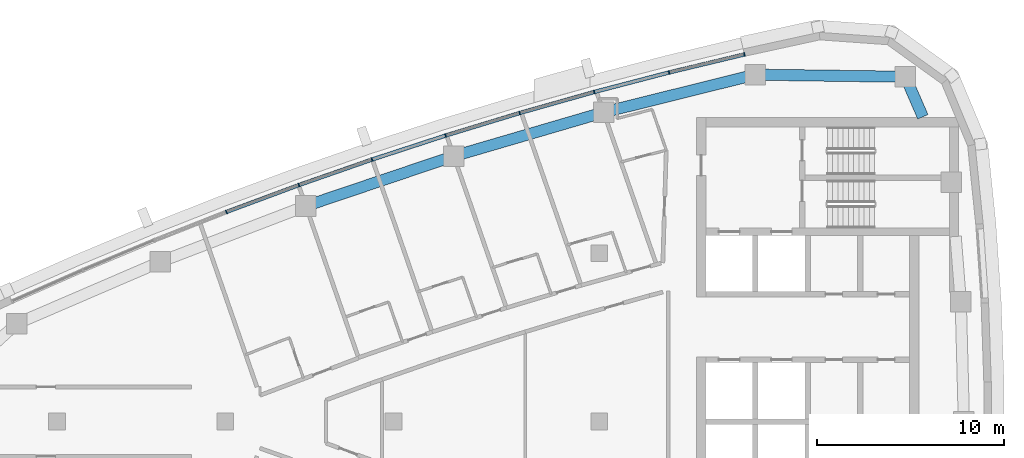
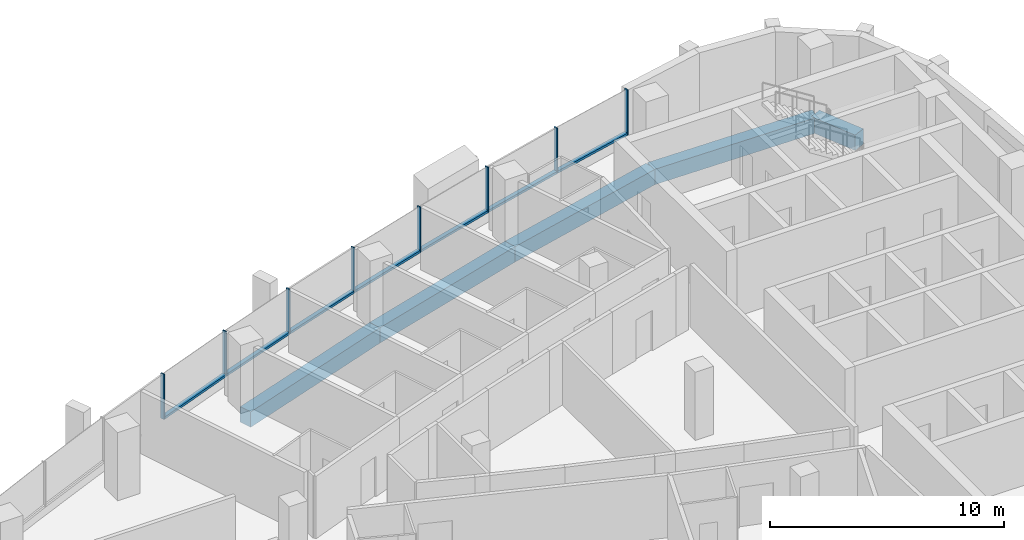
# One storey, part 5 of 14: 15 members, 5 beams, 4 elements without a shape of their own.
"""IFC4 building model written with IfcOpenShell, lengths in metres."""

from ifc_helpers import new_model, si_unit, direction, frame, origin, origin_2d, place, context, subcontext, project, spatial, rectangle, extrude, material, layer, layer_set, material_profile, profile_set, type_object, element, aggregate, save


model = new_model("IFC4")

# Units and contexts
model_context = context("Model", 3, precision=1e-05, world=origin(), true_north=direction((0.0, 1.0)))
body_context = subcontext(model_context, "Body", "Model", "MODEL_VIEW")
ifc_project = project(units=[si_unit("LENGTHUNIT", "METRE"), si_unit("AREAUNIT", "SQUARE_METRE"), si_unit("VOLUMEUNIT", "CUBIC_METRE"), si_unit("PLANEANGLEUNIT", "RADIAN"), si_unit("MASSUNIT", "GRAM", prefix="KILO")], contexts=[model_context])

# Site, building, storey
site_placement = place(None, origin())
site = spatial("IfcSite", under=ifc_project, at=site_placement, CompositionType="ELEMENT")
building_placement = place(site_placement, origin())
building = spatial("IfcBuilding", under=site, at=building_placement, Name="Ostrand Prow Hotel Tower", CompositionType="ELEMENT")
storey_placement = place(building_placement, frame((0.0, 0.0, 285.64990234375)))
storey = spatial("IfcBuildingStorey", under=building, at=storey_placement, Name="L72", CompositionType="ELEMENT", Elevation=285.64990234375)

# Beams
ifc_material_1 = material(Name="Concrete C50/60", Category="concrete")
ifc_material_profile_1 = material_profile(ifc_material_1, rectangle(XDim=0.60009765625, YDim=0.800048828125, at=origin_2d()), Name="RC 600x800")
ifc_profile_set_1 = profile_set([ifc_material_profile_1], Name="Concrete C50/60")
beam_type = type_object("IfcBeamType", Name="Edge beam 600x800 C50/60", PredefinedType="SPANDREL", material=ifc_profile_set_1)
beam_1_placement = place(storey_placement, frame((62.304931640625, 16.300048828125, -0.699951171875), z_axis=(-0.398863844187, 0.91701016014, 0.0), x_axis=(-0.91701016014, -0.398863844187, 0.0)))
element("IfcBeam", 1, at=beam_1_placement, inside=storey, type_object=beam_type, Name="Edge beam B5-NE", PredefinedType="SPANDREL", context=body_context, shape_type="SweptSolid", body=[
    extrude(rectangle(XDim=0.60009765625, YDim=0.800048828125, at=origin_2d()), origin(), (0.0, 0.0, 1.0), 2.333251953125),
])
beam_2_placement = place(storey_placement, frame((61.374267578125, 18.439697265625, -0.699951171875), z_axis=(-0.999900689486, 0.014092947356, 0.0), x_axis=(-0.014092947356, -0.999900689486, 0.0)))
element("IfcBeam", 2, at=beam_2_placement, inside=storey, type_object=beam_type, Name="Edge beam NE-N1", PredefinedType="SPANDREL", context=body_context, shape_type="SweptSolid", body=[
    extrude(rectangle(XDim=0.60009765625, YDim=0.800048828125, at=origin_2d()), origin(), (0.0, 0.0, 1.0), 8.0380859375),
])
for number, where, z_axis, x_axis, name in (
    (3, (53.3369140625, 18.552978515625, -0.699951171875), (-0.970456465292, -0.241276291775, 0.0), (0.241276291775, -0.970456465292, 0.0), "Edge beam N1-N2"),
    (4, (45.234619140625, 16.53857421875, -0.699951171875), (-0.959821966031, -0.280609681809, 0.0), (0.280609681809, -0.959821966031, 0.0), "Edge beam N2-N3"),
    (5, (37.22119140625, 14.19580078125, -0.699951171875), (-0.947575089419, -0.319533174981, 0.0), (0.319533174981, -0.947575089419, 0.0), "Edge beam N3-N4"),
):
    element("IfcBeam", number, at=place(storey_placement, frame(where, z_axis=z_axis, x_axis=x_axis)), inside=storey, type_object=beam_type, Name=name, PredefinedType="SPANDREL", context=body_context, shape_type="SweptSolid", body=[
        extrude(rectangle(XDim=0.60009765625, YDim=0.800048828125, at=origin_2d()), origin(), (0.0, 0.0, 1.0), 8.348876953125),
    ])

# Curtain wall, members
ifc_material_2 = material(Name="Insulated glass in bronze anodised frame", Category="glass")
ifc_layer = layer(ifc_material_2, 0.199951171875)
ifc_layer_set = layer_set([ifc_layer], Name="Insulated glass in bronze anodised frame")
curtain_wall_type = type_object("IfcCurtainWallType", Name="Strip curtain wall, fritted glass over bronze spandrel", PredefinedType="NOTDEFINED", material=ifc_layer_set)
curtain_wall_1_placement = place(storey_placement, origin())
curtain_wall_1 = element("IfcCurtainWall", 6, at=curtain_wall_1_placement, inside=storey, type_object=curtain_wall_type, Name="CW1 run CWN1", PredefinedType="NOTDEFINED")
ifc_material_3 = material(Name="Bronze anodised aluminium", Category="aluminium")
ifc_material_profile_2 = material_profile(ifc_material_3, rectangle(XDim=0.199951171875, YDim=0.06005859375, at=origin_2d()), Name="Mullion 60x200 bronze anodised aluminium")
ifc_profile_set_2 = profile_set([ifc_material_profile_2], Name="Bronze anodised aluminium")
member_type_1 = type_object("IfcMemberType", Name="Mullion 60x200 bronze anodised aluminium", PredefinedType="MULLION", material=ifc_profile_set_2)
member_1_placement = place(storey_placement, frame((52.7607421875, 19.634521484375, 0.900146484375), z_axis=(0.0, 0.0, 1.0), x_axis=(0.232746096028, -0.972537533869, 0.0)))
member_1 = element("IfcMember", 7, at=member_1_placement, type_object=member_type_1, Name="CW1 mullion 1", PredefinedType="MULLION", context=body_context, shape_type="SweptSolid", body=[
    extrude(rectangle(XDim=0.199951171875, YDim=0.06005859375, at=origin_2d()), origin(), (0.0, 0.0, 1.0), 2.349853515625),
])
member_2_placement = place(storey_placement, frame((48.734619140625, 18.6708984375, 0.900146484375), z_axis=(0.0, 0.0, 1.0), x_axis=(0.252248384867, -0.967662519855, 0.0)))
member_2 = element("IfcMember", 8, at=member_2_placement, type_object=member_type_1, Name="CW1 mullion 2", PredefinedType="MULLION", context=body_context, shape_type="SweptSolid", body=[
    extrude(rectangle(XDim=0.199951171875, YDim=0.06005859375, at=origin_2d()), origin(), (0.0, 0.0, 1.0), 2.349853515625),
])
member_3_placement = place(storey_placement, frame((44.728515625, 17.626708984375, 0.900146484375), z_axis=(0.0, 0.0, 1.0), x_axis=(0.252248384867, -0.967662519855, 0.0)))
member_3 = element("IfcMember", 9, at=member_3_placement, type_object=member_type_1, Name="CW1 mullion 3", PredefinedType="MULLION", context=body_context, shape_type="SweptSolid", body=[
    extrude(rectangle(XDim=0.199951171875, YDim=0.06005859375, at=origin_2d()), origin(), (0.0, 0.0, 1.0), 2.349853515625),
])

curtain_wall_2_placement = place(storey_placement, origin())
curtain_wall_2 = element("IfcCurtainWall", 10, at=curtain_wall_2_placement, inside=storey, type_object=curtain_wall_type, Name="CW1 run CWN2", PredefinedType="NOTDEFINED")
member_4_placement = place(storey_placement, frame((40.744384765625, 16.502197265625, 0.900146484375), z_axis=(0.0, 0.0, 1.0), x_axis=(0.290937648411, -0.956742015769, 0.0)))
member_4 = element("IfcMember", 11, at=member_4_placement, type_object=member_type_1, Name="CW1 mullion 2", PredefinedType="MULLION", context=body_context, shape_type="SweptSolid", body=[
    extrude(rectangle(XDim=0.199951171875, YDim=0.06005859375, at=origin_2d()), origin(), (0.0, 0.0, 1.0), 2.349853515625),
])
member_5_placement = place(storey_placement, frame((36.78369140625, 15.297607421875, 0.900146484375), z_axis=(0.0, 0.0, 1.0), x_axis=(0.290937648411, -0.956742015769, 0.0)))
member_5 = element("IfcMember", 12, at=member_5_placement, type_object=member_type_1, Name="CW1 mullion 3", PredefinedType="MULLION", context=body_context, shape_type="SweptSolid", body=[
    extrude(rectangle(XDim=0.199951171875, YDim=0.06005859375, at=origin_2d()), origin(), (0.0, 0.0, 1.0), 2.349853515625),
])

curtain_wall_3_placement = place(storey_placement, origin())
curtain_wall_3 = element("IfcCurtainWall", 13, at=curtain_wall_3_placement, inside=storey, type_object=curtain_wall_type, Name="CW1 run CWN3", PredefinedType="NOTDEFINED")
member_6_placement = place(storey_placement, frame((32.84814453125, 14.013916015625, 0.900146484375), z_axis=(0.0, 0.0, 1.0), x_axis=(0.329158370885, -0.944274730614, 0.0)))
member_6 = element("IfcMember", 14, at=member_6_placement, type_object=member_type_1, Name="CW1 mullion 2", PredefinedType="MULLION", context=body_context, shape_type="SweptSolid", body=[
    extrude(rectangle(XDim=0.199951171875, YDim=0.06005859375, at=origin_2d()), origin(), (0.0, 0.0, 1.0), 2.349853515625),
])
member_7_placement = place(storey_placement, frame((28.93896484375, 12.6513671875, 0.900146484375), z_axis=(0.0, 0.0, 1.0), x_axis=(0.329158370885, -0.944274730614, 0.0)))
member_7 = element("IfcMember", 15, at=member_7_placement, type_object=member_type_1, Name="CW1 mullion 3", PredefinedType="MULLION", context=body_context, shape_type="SweptSolid", body=[
    extrude(rectangle(XDim=0.199951171875, YDim=0.06005859375, at=origin_2d()), origin(), (0.0, 0.0, 1.0), 2.349853515625),
])

# Curtain wall, member
curtain_wall_4_placement = place(storey_placement, origin())
curtain_wall_4 = element("IfcCurtainWall", 16, at=curtain_wall_4_placement, inside=storey, type_object=curtain_wall_type, Name="CW1 run CWN4", PredefinedType="NOTDEFINED")
member_8_placement = place(storey_placement, frame((25.05810546875, 11.210205078125, 0.900146484375), z_axis=(0.0, 0.0, 1.0), x_axis=(0.366845465248, -0.930281895249, 0.0)))
member_8 = element("IfcMember", 17, at=member_8_placement, type_object=member_type_1, Name="CW1 mullion 2", PredefinedType="MULLION", context=body_context, shape_type="SweptSolid", body=[
    extrude(rectangle(XDim=0.199951171875, YDim=0.06005859375, at=origin_2d()), origin(), (0.0, 0.0, 1.0), 2.349853515625),
])

# Member
ifc_material_4 = material(Name="Bronze anodised aluminium", Category="aluminium")
ifc_material_profile_3 = material_profile(ifc_material_4, rectangle(XDim=0.199951171875, YDim=0.1201171875, at=origin_2d()), Name="Transom 120x200 bronze anodised aluminium")
ifc_profile_set_3 = profile_set([ifc_material_profile_3], Name="Bronze anodised aluminium")
member_type_2 = type_object("IfcMemberType", Name="Transom 120x200 bronze anodised aluminium", PredefinedType="USERDEFINED", material=ifc_profile_set_3)
member_9_placement = place(storey_placement, frame((52.7314453125, 19.62744140625, 0.960205078125), z_axis=(-0.972542980558, -0.232723335675, 0.0), x_axis=(0.232723335675, -0.972542980558, 0.0)))
member_9 = element("IfcMember", 18, at=member_9_placement, type_object=member_type_2, Name="CW1 transom 1.1", ObjectType="TRANSOM", PredefinedType="USERDEFINED", context=body_context, shape_type="SweptSolid", body=[
    extrude(rectangle(XDim=0.199951171875, YDim=0.1201171875, at=origin_2d()), origin(), (0.0, 0.0, 1.0), 4.079833984375),
])

member_10_placement = place(storey_placement, frame((48.70556640625, 18.663330078125, 0.960205078125), z_axis=(-0.967664917891, -0.252239185461, 0.0), x_axis=(0.252239185461, -0.967664917891, 0.0)))
member_10 = element("IfcMember", 19, at=member_10_placement, type_object=member_type_2, Name="CW1 transom 2.1", ObjectType="TRANSOM", PredefinedType="USERDEFINED", context=body_context, shape_type="SweptSolid", body=[
    extrude(rectangle(XDim=0.199951171875, YDim=0.1201171875, at=origin_2d()), origin(), (0.0, 0.0, 1.0), 4.07958984375),
])

aggregate(curtain_wall_1, [member_1, member_2, member_3, member_9, member_10])

member_11_placement = place(storey_placement, frame((44.69970703125, 17.61865234375, 0.960205078125), z_axis=(-0.962386308628, -0.271684730828, 0.0), x_axis=(0.271684730828, -0.962386308628, 0.0)))
member_11 = element("IfcMember", 20, at=member_11_placement, type_object=member_type_2, Name="CW1 transom 1.1", ObjectType="TRANSOM", PredefinedType="USERDEFINED", context=body_context, shape_type="SweptSolid", body=[
    extrude(rectangle(XDim=0.199951171875, YDim=0.1201171875, at=origin_2d()), origin(), (0.0, 0.0, 1.0), 4.079833984375),
])

member_12_placement = place(storey_placement, frame((40.7158203125, 16.493408203125, 0.960205078125), z_axis=(-0.956739081124, -0.290947298751, 0.0), x_axis=(0.290947298751, -0.956739081124, 0.0)))
member_12 = element("IfcMember", 21, at=member_12_placement, type_object=member_type_2, Name="CW1 transom 2.1", ObjectType="TRANSOM", PredefinedType="USERDEFINED", context=body_context, shape_type="SweptSolid", body=[
    extrude(rectangle(XDim=0.199951171875, YDim=0.1201171875, at=origin_2d()), origin(), (0.0, 0.0, 1.0), 4.079833984375),
])

aggregate(curtain_wall_2, [member_4, member_5, member_11, member_12])

member_13_placement = place(storey_placement, frame((36.75537109375, 15.288330078125, 0.960205078125), z_axis=(-0.950704145978, -0.310099382165, 0.0), x_axis=(0.310099382165, -0.950704145978, 0.0)))
member_13 = element("IfcMember", 22, at=member_13_placement, type_object=member_type_2, Name="CW1 transom 1.1", ObjectType="TRANSOM", PredefinedType="USERDEFINED", context=body_context, shape_type="SweptSolid", body=[
    extrude(rectangle(XDim=0.199951171875, YDim=0.1201171875, at=origin_2d()), origin(), (0.0, 0.0, 1.0), 4.079833984375),
])

member_14_placement = place(storey_placement, frame((32.81982421875, 14.004150390625, 0.960205078125), z_axis=(-0.944268108385, -0.329177367822, 0.0), x_axis=(0.329177367822, -0.944268108385, 0.0)))
member_14 = element("IfcMember", 23, at=member_14_placement, type_object=member_type_2, Name="CW1 transom 2.1", ObjectType="TRANSOM", PredefinedType="USERDEFINED", context=body_context, shape_type="SweptSolid", body=[
    extrude(rectangle(XDim=0.199951171875, YDim=0.1201171875, at=origin_2d()), origin(), (0.0, 0.0, 1.0), 4.079833984375),
])

aggregate(curtain_wall_3, [member_6, member_7, member_13, member_14])

member_15_placement = place(storey_placement, frame((28.910888671875, 12.640869140625, 0.960205078125), z_axis=(-0.937460424566, -0.348091873465, 0.0), x_axis=(0.348091873465, -0.937460424566, 0.0)))
member_15 = element("IfcMember", 24, at=member_15_placement, type_object=member_type_2, Name="CW1 transom 1.1", ObjectType="TRANSOM", PredefinedType="USERDEFINED", context=body_context, shape_type="SweptSolid", body=[
    extrude(rectangle(XDim=0.199951171875, YDim=0.1201171875, at=origin_2d()), origin(), (0.0, 0.0, 1.0), 4.079833984375),
])

aggregate(curtain_wall_4, [member_8, member_15])

save(model, "model.ifc")
